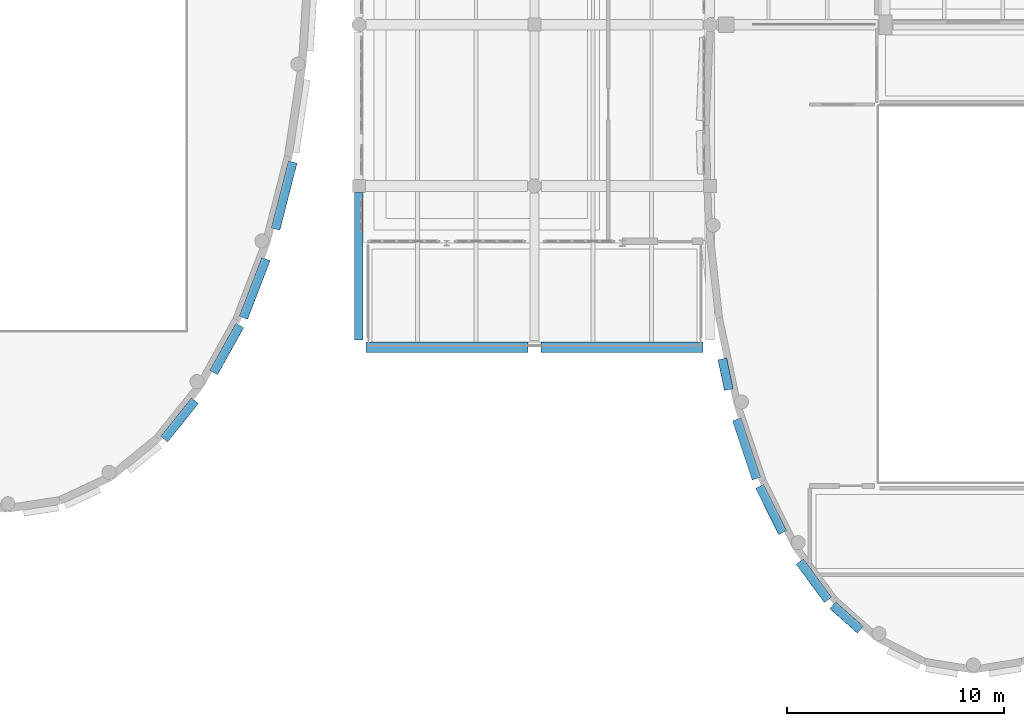
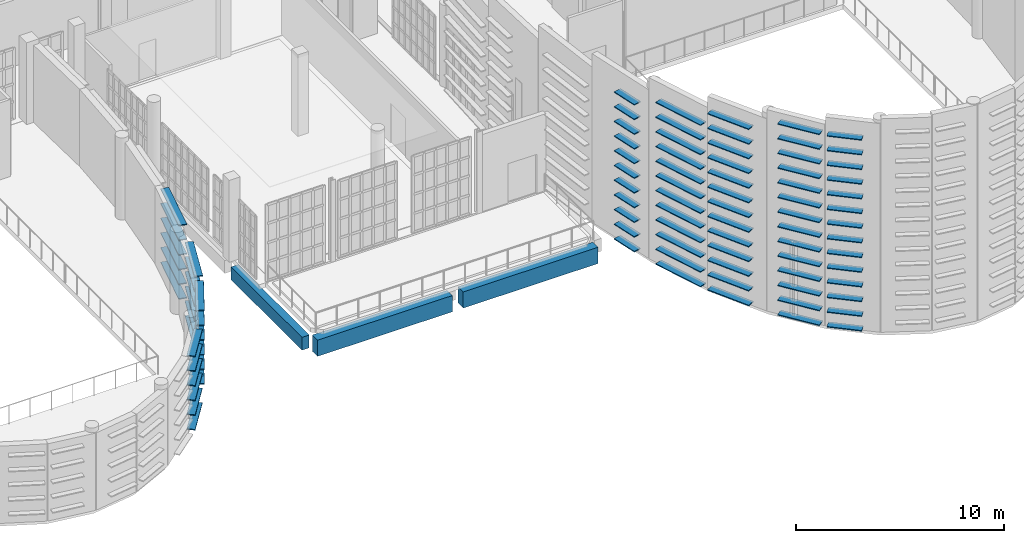
# One storey, part 27 of 104: 88 members, 3 beams.
"""IFC4 building model written with IfcOpenShell, lengths in metres."""

import ifcopenshell
import ifcopenshell.guid

model = None  # the IFC model being written
_history = None  # IfcOwnerHistory: only IFC2X3 demands one
_inside = {}  # id of a spatial element -> (the spatial element, [elements in it])
_under = {}  # id of a project, library or spatial element -> (it, [spatial elements below it])
_declared = {}  # id of a project -> (the project, [libraries it declares])
_typed = {}  # id of a type object -> (the type object, [elements of that type])
_made_of = {}  # id of a material, layer set ... -> (it, [elements and type objects made of it])


def new_model(schema):
    """Start an empty IFC model of exactly this schema.

    Asked for "IFC4X3", IfcOpenShell would pick the latest addendum, in which some entities
    have other attributes; the version numbers below select the first issue.
    IFC2X3 requires an IfcOwnerHistory on every rooted entity: one is made here for all.
    """
    global model, _history
    if schema == "IFC4X3":
        model = ifcopenshell.file(schema_version=(4, 3, 0, 0))
    else:
        model = ifcopenshell.file(schema=schema)
    _inside.clear()
    _under.clear()
    _declared.clear()
    _typed.clear()
    _made_of.clear()
    _history = None
    if model.schema == "IFC2X3":
        org = make("IfcOrganization", Name="unknown")
        user = make(
            "IfcPersonAndOrganization",
            ThePerson=make("IfcPerson", FamilyName="unknown"),
            TheOrganization=org,
        )
        app = make(
            "IfcApplication",
            ApplicationDeveloper=org,
            Version="unknown",
            ApplicationFullName="unknown",
            ApplicationIdentifier="unknown",
        )
        _history = make(
            "IfcOwnerHistory",
            OwningUser=user,
            OwningApplication=app,
            ChangeAction="ADDED",
            CreationDate=0,
        )
    return model


def make(cls, **values):
    """One entity of the class cls with the attributes given. An attribute that is None is left unset."""
    return model.create_entity(
        cls, **{name: value for name, value in values.items() if value is not None}
    )


def rooted(cls, **values):
    """An entity with a GlobalId (a new one), such as an element, a storey or a relation."""
    return make(cls, GlobalId=ifcopenshell.guid.new(), OwnerHistory=_history, **values)


def si_unit(unit_type, name, prefix=None):
    """IfcSIUnit, for example si_unit("LENGTHUNIT", "METRE", prefix="MILLI")."""
    return make("IfcSIUnit", UnitType=unit_type, Prefix=prefix, Name=name)


def assignment(units):
    """IfcUnitAssignment: the units of a project."""
    return None if units is None else make("IfcUnitAssignment", Units=units)


def point(xyz):
    """IfcCartesianPoint."""
    return None if xyz is None else make("IfcCartesianPoint", Coordinates=xyz)


def direction(xyz):
    """IfcDirection."""
    return None if xyz is None else make("IfcDirection", DirectionRatios=xyz)


def frame(location, z_axis=None, x_axis=None):
    """IfcAxis2Placement3D, a coordinate frame: its origin and axes. An axis left out is left unset."""
    return make(
        "IfcAxis2Placement3D",
        Location=point(location),
        Axis=direction(z_axis),
        RefDirection=direction(x_axis),
    )


def frame_2d(location, x_axis=None):
    """IfcAxis2Placement2D, a coordinate frame in the plane: its origin and x axis."""
    return make(
        "IfcAxis2Placement2D", Location=point(location), RefDirection=direction(x_axis)
    )


def origin():
    """The frame at (0, 0, 0) with its axes left unset."""
    return frame((0.0, 0.0, 0.0))


def origin_2d():
    """The frame at (0, 0) in the plane with its x axis left unset."""
    return frame_2d((0.0, 0.0))


def place(relative_to, where):
    """IfcLocalPlacement: puts the frame where relative to a parent placement (None: the world)."""
    return make(
        "IfcLocalPlacement", PlacementRelTo=relative_to, RelativePlacement=where
    )


def context(
    kind, dimensions, precision=None, world=None, true_north=None, identifier=None
):
    """IfcGeometricRepresentationContext, for example the 3D "Model" context."""
    return make(
        "IfcGeometricRepresentationContext",
        ContextIdentifier=identifier,
        ContextType=kind,
        CoordinateSpaceDimension=dimensions,
        Precision=precision,
        WorldCoordinateSystem=world,
        TrueNorth=true_north,
    )


def subcontext(parent, identifier, kind, view, scale=None):
    """IfcGeometricRepresentationSubContext, for example "Body" below "Model"."""
    return make(
        "IfcGeometricRepresentationSubContext",
        ContextIdentifier=identifier,
        ContextType=kind,
        ParentContext=parent,
        TargetScale=scale,
        TargetView=view,
    )


def project(units=None, contexts=None):
    """IfcProject with its units and contexts."""
    return rooted(
        "IfcProject",
        Name="project",
        RepresentationContexts=contexts,
        UnitsInContext=assignment(units),
    )


def spatial(cls, under=None, at=None, **own):
    """A site, building, storey or space (cls), placed at a placement, below another one or the project."""
    s = rooted(cls, ObjectPlacement=at, **own)
    if under is not None:
        _under.setdefault(under.id(), (under, []))[1].append(s)
    return s


def profile(cls, at=None, kind="AREA", **sizes):
    """A parametric profile (cls). Its sizes go by their IFC names, for example OverallWidth=200.0."""
    return make(cls, ProfileType=kind, Position=at, **sizes)


def rectangle(**sizes):
    """IfcRectangleProfileDef."""
    return profile("IfcRectangleProfileDef", **sizes)


def hollow_rectangle(**sizes):
    """IfcRectangleHollowProfileDef."""
    return profile("IfcRectangleHollowProfileDef", **sizes)


def extrude(swept, where, along, depth):
    """IfcExtrudedAreaSolid: the profile swept, set in the frame where, extruded along a direction by depth."""
    return make(
        "IfcExtrudedAreaSolid",
        SweptArea=swept,
        Position=where,
        ExtrudedDirection=direction(along),
        Depth=depth,
    )


def shape(context_of_items, identifier, shape_type, items):
    """IfcShapeRepresentation: the items that make up one representation, for example the "Body"."""
    return make(
        "IfcShapeRepresentation",
        ContextOfItems=context_of_items,
        RepresentationIdentifier=identifier,
        RepresentationType=shape_type,
        Items=items,
    )


def material(Name=None, Category=None):
    """IfcMaterial."""
    return make("IfcMaterial", Name=Name, Category=Category)


def material_profile(
    of_material, cross_section, Name=None, Category=None, Priority=None
):
    """IfcMaterialProfile: a cross section and its material."""
    return make(
        "IfcMaterialProfile",
        Name=Name,
        Material=of_material,
        Profile=cross_section,
        Priority=Priority,
        Category=Category,
    )


def profile_set(profiles, Name=None, composite=None):
    """IfcMaterialProfileSet."""
    return make(
        "IfcMaterialProfileSet",
        Name=Name,
        MaterialProfiles=profiles,
        CompositeProfile=composite,
    )


def made_of(thing, what):
    """Note that an element or type object is made of a material, layer set ...; save() writes the relation."""
    if what is not None:
        _made_of.setdefault(what.id(), (what, []))[1].append(thing)
    return thing


def type_object(cls, material=None, **own):
    """A type object (cls), such as IfcWallType, which elements share."""
    return made_of(rooted(cls, **own), material)


def element(
    cls,
    number,
    at=None,
    inside=None,
    cuts=None,
    type_object=None,
    material=None,
    context=None,
    identifier="Body",
    shape_type=None,
    held_by="IfcProductDefinitionShape",
    body=None,
    shapes=None,
    **own,
):
    """One element of the class cls, such as IfcWall. Its Tag is "e" and its number.

    at: its placement. inside: the storey or other place that contains it. cuts: it is an
    opening in that element (IfcRelVoidsElement). A single representation is given by context,
    identifier, shape_type and body (its items); several are given by shapes. held_by: the class
    of the entity that holds the representations. save() writes the other relations.
    """
    e = rooted(cls, Tag="e%d" % number, ObjectPlacement=at, **own)
    if body is not None:
        shapes = [shape(context, identifier, shape_type, body)]
    if shapes is not None:
        e.Representation = make(held_by, Representations=shapes)
    if inside is not None:
        _inside.setdefault(inside.id(), (inside, []))[1].append(e)
    if cuts is not None:
        rooted(
            "IfcRelVoidsElement", RelatingBuildingElement=cuts, RelatedOpeningElement=e
        )
    if type_object is not None:
        _typed.setdefault(type_object.id(), (type_object, []))[1].append(e)
    return made_of(e, material)


def aggregate(whole, parts):
    """IfcRelAggregates: a whole, such as a stair, and the parts it consists of."""
    return rooted("IfcRelAggregates", RelatingObject=whole, RelatedObjects=parts)


def save(model, path):
    """Write the relations noted so far, then the file.

    IfcRelAggregates (storeys below a building ...), IfcRelContainedInSpatialStructure (elements
    in a storey), IfcRelDefinesByType, IfcRelAssociatesMaterial and IfcRelDeclares: one each for
    every whole, place, type object, material and project.
    """
    for whole, parts in _under.values():
        aggregate(whole, parts)
    for where, things in _inside.values():
        rooted(
            "IfcRelContainedInSpatialStructure",
            RelatedElements=things,
            RelatingStructure=where,
        )
    for kind, things in _typed.values():
        rooted("IfcRelDefinesByType", RelatedObjects=things, RelatingType=kind)
    for what, things in _made_of.values():
        rooted("IfcRelAssociatesMaterial", RelatedObjects=things, RelatingMaterial=what)
    for by, libraries in _declared.values():
        rooted("IfcRelDeclares", RelatingContext=by, RelatedDefinitions=libraries)
    model.write(path)


model = new_model("IFC4")

# Units and contexts
model_context = context("Model", 3, precision=1e-05, world=origin(), true_north=direction((0.0, 1.0)))
body_context = subcontext(model_context, "Body", "Model", "MODEL_VIEW")
ifc_project = project(units=[si_unit("LENGTHUNIT", "METRE"), si_unit("AREAUNIT", "SQUARE_METRE"), si_unit("VOLUMEUNIT", "CUBIC_METRE"), si_unit("PLANEANGLEUNIT", "RADIAN"), si_unit("MASSUNIT", "GRAM", prefix="KILO")], contexts=[model_context])

# Site, building, storey
site_placement = place(None, origin())
site = spatial("IfcSite", under=ifc_project, at=site_placement, CompositionType="ELEMENT")
building_placement = place(site_placement, origin())
building = spatial("IfcBuilding", under=site, at=building_placement, Name="Kaelora Sail Theatre", CompositionType="ELEMENT")
storey_placement = place(building_placement, frame((0.0, 0.0, 5.39990234375)))
storey = spatial("IfcBuildingStorey", under=building, at=storey_placement, Name="L01", CompositionType="ELEMENT", Elevation=5.39990234375)

# Members
ifc_material_1 = material(Name="Anodised aluminium 6063-T6", Category="aluminium")
ifc_material_profile_1 = material_profile(ifc_material_1, hollow_rectangle(XDim=0.419921875, YDim=0.054931640625, WallThickness=0.00390625, InnerFilletRadius=0.00390625, OuterFilletRadius=0.008056640625, at=origin_2d()), Name="LOUVRE 420x55x4")
ifc_profile_set_1 = profile_set([ifc_material_profile_1], Name="Anodised aluminium 6063-T6")
member_type = type_object("IfcMemberType", Name="ARC-MEM-LVR-420", PredefinedType="USERDEFINED", material=ifc_profile_set_1)
for number, where, z_axis, x_axis, name in (
    (1, (103.744140625, 47.24560546875, 0.150146484375), (-0.24769312213, -0.968838540341, 0.0), (0.968838540341, -0.24769312213, 0.0), "Studio Theatre Sail Drum horizontal solar louvre C4-06"),
    (2, (103.744140625, 47.24560546875, 1.010009765625), (-0.24769312213, -0.968838540341, 0.0), (0.968838540341, -0.24769312213, 0.0), "Studio Theatre Sail Drum horizontal solar louvre C4-07"),
    (3, (103.744140625, 47.24560546875, 1.8701171875), (-0.24769312213, -0.968838540341, 0.0), (0.968838540341, -0.24769312213, 0.0), "Studio Theatre Sail Drum horizontal solar louvre C4-08"),
    (4, (103.744140625, 47.24560546875, 2.72998046875), (-0.24769312213, -0.968838540341, 0.0), (0.968838540341, -0.24769312213, 0.0), "Studio Theatre Sail Drum horizontal solar louvre C4-09"),
    (5, (103.744140625, 47.24560546875, 3.590087890625), (-0.24769312213, -0.968838540341, 0.0), (0.968838540341, -0.24769312213, 0.0), "Studio Theatre Sail Drum horizontal solar louvre C4-10"),
    (6, (103.744140625, 47.24560546875, 4.4501953125), (-0.24769312213, -0.968838540341, 0.0), (0.968838540341, -0.24769312213, 0.0), "Studio Theatre Sail Drum horizontal solar louvre C4-11"),
):
    element("IfcMember", number, at=place(storey_placement, frame(where, z_axis=z_axis, x_axis=x_axis)), inside=storey, type_object=member_type, Name=name, ObjectType="LOUVRE", PredefinedType="USERDEFINED", context=body_context, shape_type="SweptSolid", body=[
        extrude(hollow_rectangle(XDim=0.419921875, YDim=0.054931640625, WallThickness=0.00390625, InnerFilletRadius=0.00390625, OuterFilletRadius=0.008056640625, at=origin_2d()), origin(), (0.0, 0.0, 1.0), 3.194580078125),
    ])
for number, where, z_axis, x_axis, name in (
    (7, (102.51123046875, 42.767578125, 0.150146484375), (-0.359300533741, -0.93322190633, 0.0), (0.93322190633, -0.359300533741, 0.0), "Studio Theatre Sail Drum horizontal solar louvre C5-06"),
    (8, (102.51123046875, 42.767578125, 1.010009765625), (-0.359300533741, -0.93322190633, 0.0), (0.93322190633, -0.359300533741, 0.0), "Studio Theatre Sail Drum horizontal solar louvre C5-07"),
    (9, (102.51123046875, 42.767578125, 1.8701171875), (-0.359300533741, -0.93322190633, 0.0), (0.93322190633, -0.359300533741, 0.0), "Studio Theatre Sail Drum horizontal solar louvre C5-08"),
    (10, (102.51123046875, 42.767578125, 2.72998046875), (-0.359300533741, -0.93322190633, 0.0), (0.93322190633, -0.359300533741, 0.0), "Studio Theatre Sail Drum horizontal solar louvre C5-09"),
    (11, (102.51123046875, 42.767578125, 3.590087890625), (-0.359300533741, -0.93322190633, 0.0), (0.93322190633, -0.359300533741, 0.0), "Studio Theatre Sail Drum horizontal solar louvre C5-10"),
    (12, (102.51123046875, 42.767578125, 4.4501953125), (-0.359300533741, -0.93322190633, 0.0), (0.93322190633, -0.359300533741, 0.0), "Studio Theatre Sail Drum horizontal solar louvre C5-11"),
):
    element("IfcMember", number, at=place(storey_placement, frame(where, z_axis=z_axis, x_axis=x_axis)), inside=storey, type_object=member_type, Name=name, ObjectType="LOUVRE", PredefinedType="USERDEFINED", context=body_context, shape_type="SweptSolid", body=[
        extrude(hollow_rectangle(XDim=0.419921875, YDim=0.054931640625, WallThickness=0.00390625, InnerFilletRadius=0.00390625, OuterFilletRadius=0.008056640625, at=origin_2d()), origin(), (0.0, 0.0, 1.0), 2.900634765625),
    ])
for number, where, z_axis, x_axis, name in (
    (13, (101.301025390625, 39.698486328125, 0.150146484375), (-0.485852103854, -0.874041036325, 0.0), (0.874041036325, -0.485852103854, 0.0), "Studio Theatre Sail Drum horizontal solar louvre C6-06"),
    (14, (101.301025390625, 39.698486328125, 1.010009765625), (-0.485852103854, -0.874041036325, 0.0), (0.874041036325, -0.485852103854, 0.0), "Studio Theatre Sail Drum horizontal solar louvre C6-07"),
    (15, (101.301025390625, 39.698486328125, 1.8701171875), (-0.485852103854, -0.874041036325, 0.0), (0.874041036325, -0.485852103854, 0.0), "Studio Theatre Sail Drum horizontal solar louvre C6-08"),
    (16, (101.301025390625, 39.698486328125, 2.72998046875), (-0.485852103854, -0.874041036325, 0.0), (0.874041036325, -0.485852103854, 0.0), "Studio Theatre Sail Drum horizontal solar louvre C6-09"),
    (17, (101.301025390625, 39.698486328125, 3.590087890625), (-0.485852103854, -0.874041036325, 0.0), (0.874041036325, -0.485852103854, 0.0), "Studio Theatre Sail Drum horizontal solar louvre C6-10"),
    (18, (101.301025390625, 39.698486328125, 4.4501953125), (-0.485852103854, -0.874041036325, 0.0), (0.874041036325, -0.485852103854, 0.0), "Studio Theatre Sail Drum horizontal solar louvre C6-11"),
):
    element("IfcMember", number, at=place(storey_placement, frame(where, z_axis=z_axis, x_axis=x_axis)), inside=storey, type_object=member_type, Name=name, ObjectType="LOUVRE", PredefinedType="USERDEFINED", context=body_context, shape_type="SweptSolid", body=[
        extrude(hollow_rectangle(XDim=0.419921875, YDim=0.054931640625, WallThickness=0.00390625, InnerFilletRadius=0.00390625, OuterFilletRadius=0.008056640625, at=origin_2d()), origin(), (0.0, 0.0, 1.0), 2.477294921875),
    ])
for number, where, z_axis, x_axis, name in (
    (19, (99.23388671875, 36.231689453125, 0.150146484375), (-0.626268503228, -0.779607440873, 0.0), (0.779607440873, -0.626268503228, 0.0), "Studio Theatre Sail Drum horizontal solar louvre C7-06"),
    (20, (99.23388671875, 36.231689453125, 1.010009765625), (-0.626268503228, -0.779607440873, 0.0), (0.779607440873, -0.626268503228, 0.0), "Studio Theatre Sail Drum horizontal solar louvre C7-07"),
    (21, (99.23388671875, 36.231689453125, 1.8701171875), (-0.626268503228, -0.779607440873, 0.0), (0.779607440873, -0.626268503228, 0.0), "Studio Theatre Sail Drum horizontal solar louvre C7-08"),
    (22, (99.23388671875, 36.231689453125, 2.72998046875), (-0.626268503228, -0.779607440873, 0.0), (0.779607440873, -0.626268503228, 0.0), "Studio Theatre Sail Drum horizontal solar louvre C7-09"),
    (23, (99.23388671875, 36.231689453125, 3.590087890625), (-0.626268503228, -0.779607440873, 0.0), (0.779607440873, -0.626268503228, 0.0), "Studio Theatre Sail Drum horizontal solar louvre C7-10"),
    (24, (99.23388671875, 36.231689453125, 4.4501953125), (-0.626268503228, -0.779607440873, 0.0), (0.779607440873, -0.626268503228, 0.0), "Studio Theatre Sail Drum horizontal solar louvre C7-11"),
):
    element("IfcMember", number, at=place(storey_placement, frame(where, z_axis=z_axis, x_axis=x_axis)), inside=storey, type_object=member_type, Name=name, ObjectType="LOUVRE", PredefinedType="USERDEFINED", context=body_context, shape_type="SweptSolid", body=[
        extrude(hollow_rectangle(XDim=0.419921875, YDim=0.054931640625, WallThickness=0.00390625, InnerFilletRadius=0.00390625, OuterFilletRadius=0.008056640625, at=origin_2d()), origin(), (0.0, 0.0, 1.0), 2.268798828125),
    ])
for number, where, z_axis, x_axis, name in (
    (25, (129.939208984375, 25.662109375, 0.150146484375), (-0.747346111026, 0.664434940633, 0.0), (-0.664434940633, -0.747346111026, 0.0), "Black-Box and Experimental Sail Wing horizontal solar louvre C13-06"),
    (26, (129.939208984375, 25.662109375, 1.010009765625), (-0.747346111026, 0.664434940633, 0.0), (-0.664434940633, -0.747346111026, 0.0), "Black-Box and Experimental Sail Wing horizontal solar louvre C13-07"),
    (27, (129.939208984375, 25.662109375, 1.8701171875), (-0.747346111026, 0.664434940633, 0.0), (-0.664434940633, -0.747346111026, 0.0), "Black-Box and Experimental Sail Wing horizontal solar louvre C13-08"),
    (28, (129.939208984375, 25.662109375, 2.72998046875), (-0.747346111026, 0.664434940633, 0.0), (-0.664434940633, -0.747346111026, 0.0), "Black-Box and Experimental Sail Wing horizontal solar louvre C13-09"),
    (29, (129.939208984375, 25.662109375, 3.590087890625), (-0.747346111026, 0.664434940633, 0.0), (-0.664434940633, -0.747346111026, 0.0), "Black-Box and Experimental Sail Wing horizontal solar louvre C13-10"),
    (30, (129.939208984375, 25.662109375, 4.4501953125), (-0.747346111026, 0.664434940633, 0.0), (-0.664434940633, -0.747346111026, 0.0), "Black-Box and Experimental Sail Wing horizontal solar louvre C13-11"),
    (31, (129.939208984375, 25.662109375, 5.31005859375), (-0.747346111026, 0.664434940633, 0.0), (-0.664434940633, -0.747346111026, 0.0), "Black-Box and Experimental Sail Wing horizontal solar louvre C13-12"),
    (32, (129.939208984375, 25.662109375, 6.170166015625), (-0.747346111026, 0.664434940633, 0.0), (-0.664434940633, -0.747346111026, 0.0), "Black-Box and Experimental Sail Wing horizontal solar louvre C13-13"),
    (33, (129.939208984375, 25.662109375, 7.030029296875), (-0.747346111026, 0.664434940633, 0.0), (-0.664434940633, -0.747346111026, 0.0), "Black-Box and Experimental Sail Wing horizontal solar louvre C13-14"),
    (34, (129.939208984375, 25.662109375, 7.89013671875), (-0.747346111026, 0.664434940633, 0.0), (-0.664434940633, -0.747346111026, 0.0), "Black-Box and Experimental Sail Wing horizontal solar louvre C13-15"),
    (35, (129.939208984375, 25.662109375, 8.75), (-0.747346111026, 0.664434940633, 0.0), (-0.664434940633, -0.747346111026, 0.0), "Black-Box and Experimental Sail Wing horizontal solar louvre C13-16"),
    (36, (129.939208984375, 25.662109375, 9.610107421875), (-0.747346111026, 0.664434940633, 0.0), (-0.664434940633, -0.747346111026, 0.0), "Black-Box and Experimental Sail Wing horizontal solar louvre C13-17"),
    (37, (129.939208984375, 25.662109375, 10.47021484375), (-0.747346111026, 0.664434940633, 0.0), (-0.664434940633, -0.747346111026, 0.0), "Black-Box and Experimental Sail Wing horizontal solar louvre C13-18"),
    (38, (129.939208984375, 25.662109375, 11.330078125), (-0.747346111026, 0.664434940633, 0.0), (-0.664434940633, -0.747346111026, 0.0), "Black-Box and Experimental Sail Wing horizontal solar louvre C13-19"),
):
    element("IfcMember", number, at=place(storey_placement, frame(where, z_axis=z_axis, x_axis=x_axis)), inside=storey, type_object=member_type, Name=name, ObjectType="LOUVRE", PredefinedType="USERDEFINED", context=body_context, shape_type="SweptSolid", body=[
        extrude(hollow_rectangle(XDim=0.419921875, YDim=0.054931640625, WallThickness=0.00390625, InnerFilletRadius=0.00390625, OuterFilletRadius=0.008056640625, at=origin_2d()), origin(), (0.0, 0.0, 1.0), 1.704833984375),
    ])
for number, where, z_axis, x_axis, name in (
    (39, (128.44091796875, 27.0439453125, 0.150146484375), (-0.590513532852, 0.807027736524, 0.0), (-0.807027736524, -0.590513532852, 0.0), "Black-Box and Experimental Sail Wing horizontal solar louvre C14-06"),
    (40, (128.44091796875, 27.0439453125, 1.010009765625), (-0.590513532852, 0.807027736524, 0.0), (-0.807027736524, -0.590513532852, 0.0), "Black-Box and Experimental Sail Wing horizontal solar louvre C14-07"),
    (41, (128.44091796875, 27.0439453125, 1.8701171875), (-0.590513532852, 0.807027736524, 0.0), (-0.807027736524, -0.590513532852, 0.0), "Black-Box and Experimental Sail Wing horizontal solar louvre C14-08"),
    (42, (128.44091796875, 27.0439453125, 2.72998046875), (-0.590513532852, 0.807027736524, 0.0), (-0.807027736524, -0.590513532852, 0.0), "Black-Box and Experimental Sail Wing horizontal solar louvre C14-09"),
    (43, (128.44091796875, 27.0439453125, 3.590087890625), (-0.590513532852, 0.807027736524, 0.0), (-0.807027736524, -0.590513532852, 0.0), "Black-Box and Experimental Sail Wing horizontal solar louvre C14-10"),
    (44, (128.44091796875, 27.0439453125, 4.4501953125), (-0.590513532852, 0.807027736524, 0.0), (-0.807027736524, -0.590513532852, 0.0), "Black-Box and Experimental Sail Wing horizontal solar louvre C14-11"),
    (45, (128.44091796875, 27.0439453125, 5.31005859375), (-0.590513532852, 0.807027736524, 0.0), (-0.807027736524, -0.590513532852, 0.0), "Black-Box and Experimental Sail Wing horizontal solar louvre C14-12"),
    (46, (128.44091796875, 27.0439453125, 6.170166015625), (-0.590513532852, 0.807027736524, 0.0), (-0.807027736524, -0.590513532852, 0.0), "Black-Box and Experimental Sail Wing horizontal solar louvre C14-13"),
    (47, (128.44091796875, 27.0439453125, 7.030029296875), (-0.590513532852, 0.807027736524, 0.0), (-0.807027736524, -0.590513532852, 0.0), "Black-Box and Experimental Sail Wing horizontal solar louvre C14-14"),
    (48, (128.44091796875, 27.0439453125, 7.89013671875), (-0.590513532852, 0.807027736524, 0.0), (-0.807027736524, -0.590513532852, 0.0), "Black-Box and Experimental Sail Wing horizontal solar louvre C14-15"),
    (49, (128.44091796875, 27.0439453125, 8.75), (-0.590513532852, 0.807027736524, 0.0), (-0.807027736524, -0.590513532852, 0.0), "Black-Box and Experimental Sail Wing horizontal solar louvre C14-16"),
    (50, (128.44091796875, 27.0439453125, 9.610107421875), (-0.590513532852, 0.807027736524, 0.0), (-0.807027736524, -0.590513532852, 0.0), "Black-Box and Experimental Sail Wing horizontal solar louvre C14-17"),
    (51, (128.44091796875, 27.0439453125, 10.47021484375), (-0.590513532852, 0.807027736524, 0.0), (-0.807027736524, -0.590513532852, 0.0), "Black-Box and Experimental Sail Wing horizontal solar louvre C14-18"),
    (52, (128.44091796875, 27.0439453125, 11.330078125), (-0.590513532852, 0.807027736524, 0.0), (-0.807027736524, -0.590513532852, 0.0), "Black-Box and Experimental Sail Wing horizontal solar louvre C14-19"),
):
    element("IfcMember", number, at=place(storey_placement, frame(where, z_axis=z_axis, x_axis=x_axis)), inside=storey, type_object=member_type, Name=name, ObjectType="LOUVRE", PredefinedType="USERDEFINED", context=body_context, shape_type="SweptSolid", body=[
        extrude(hollow_rectangle(XDim=0.419921875, YDim=0.054931640625, WallThickness=0.00390625, InnerFilletRadius=0.00390625, OuterFilletRadius=0.008056640625, at=origin_2d()), origin(), (0.0, 0.0, 1.0), 2.192138671875),
    ])
for number, where, z_axis, x_axis, name in (
    (53, (126.353515625, 30.142822265625, 0.150146484375), (-0.444466855912, 0.895795296927, 0.0), (-0.895795296927, -0.444466855912, 0.0), "Black-Box and Experimental Sail Wing horizontal solar louvre C15-06"),
    (54, (126.353515625, 30.142822265625, 1.010009765625), (-0.444466855912, 0.895795296927, 0.0), (-0.895795296927, -0.444466855912, 0.0), "Black-Box and Experimental Sail Wing horizontal solar louvre C15-07"),
    (55, (126.353515625, 30.142822265625, 1.8701171875), (-0.444466855912, 0.895795296927, 0.0), (-0.895795296927, -0.444466855912, 0.0), "Black-Box and Experimental Sail Wing horizontal solar louvre C15-08"),
    (56, (126.353515625, 30.142822265625, 2.72998046875), (-0.444466855912, 0.895795296927, 0.0), (-0.895795296927, -0.444466855912, 0.0), "Black-Box and Experimental Sail Wing horizontal solar louvre C15-09"),
    (57, (126.353515625, 30.142822265625, 3.590087890625), (-0.444466855912, 0.895795296927, 0.0), (-0.895795296927, -0.444466855912, 0.0), "Black-Box and Experimental Sail Wing horizontal solar louvre C15-10"),
    (58, (126.353515625, 30.142822265625, 4.4501953125), (-0.444466855912, 0.895795296927, 0.0), (-0.895795296927, -0.444466855912, 0.0), "Black-Box and Experimental Sail Wing horizontal solar louvre C15-11"),
    (59, (126.353515625, 30.142822265625, 5.31005859375), (-0.444466855912, 0.895795296927, 0.0), (-0.895795296927, -0.444466855912, 0.0), "Black-Box and Experimental Sail Wing horizontal solar louvre C15-12"),
    (60, (126.353515625, 30.142822265625, 6.170166015625), (-0.444466855912, 0.895795296927, 0.0), (-0.895795296927, -0.444466855912, 0.0), "Black-Box and Experimental Sail Wing horizontal solar louvre C15-13"),
    (61, (126.353515625, 30.142822265625, 7.030029296875), (-0.444466855912, 0.895795296927, 0.0), (-0.895795296927, -0.444466855912, 0.0), "Black-Box and Experimental Sail Wing horizontal solar louvre C15-14"),
    (62, (126.353515625, 30.142822265625, 7.89013671875), (-0.444466855912, 0.895795296927, 0.0), (-0.895795296927, -0.444466855912, 0.0), "Black-Box and Experimental Sail Wing horizontal solar louvre C15-15"),
    (63, (126.353515625, 30.142822265625, 8.75), (-0.444466855912, 0.895795296927, 0.0), (-0.895795296927, -0.444466855912, 0.0), "Black-Box and Experimental Sail Wing horizontal solar louvre C15-16"),
    (64, (126.353515625, 30.142822265625, 9.610107421875), (-0.444466855912, 0.895795296927, 0.0), (-0.895795296927, -0.444466855912, 0.0), "Black-Box and Experimental Sail Wing horizontal solar louvre C15-17"),
    (65, (126.353515625, 30.142822265625, 10.47021484375), (-0.444466855912, 0.895795296927, 0.0), (-0.895795296927, -0.444466855912, 0.0), "Black-Box and Experimental Sail Wing horizontal solar louvre C15-18"),
):
    element("IfcMember", number, at=place(storey_placement, frame(where, z_axis=z_axis, x_axis=x_axis)), inside=storey, type_object=member_type, Name=name, ObjectType="LOUVRE", PredefinedType="USERDEFINED", context=body_context, shape_type="SweptSolid", body=[
        extrude(hollow_rectangle(XDim=0.419921875, YDim=0.054931640625, WallThickness=0.00390625, InnerFilletRadius=0.00390625, OuterFilletRadius=0.008056640625, at=origin_2d()), origin(), (0.0, 0.0, 1.0), 2.384033203125),
    ])
for number, where, z_axis, x_axis, name in (
    (66, (125.146728515625, 32.63818359375, 0.150146484375), (-0.316100406034, 0.94872574188, 0.0), (-0.94872574188, -0.316100406034, 0.0), "Black-Box and Experimental Sail Wing horizontal solar louvre C16-06"),
    (67, (125.146728515625, 32.63818359375, 1.010009765625), (-0.316100406034, 0.94872574188, 0.0), (-0.94872574188, -0.316100406034, 0.0), "Black-Box and Experimental Sail Wing horizontal solar louvre C16-07"),
    (68, (125.146728515625, 32.63818359375, 1.8701171875), (-0.316100406034, 0.94872574188, 0.0), (-0.94872574188, -0.316100406034, 0.0), "Black-Box and Experimental Sail Wing horizontal solar louvre C16-08"),
    (69, (125.146728515625, 32.63818359375, 2.72998046875), (-0.316100406034, 0.94872574188, 0.0), (-0.94872574188, -0.316100406034, 0.0), "Black-Box and Experimental Sail Wing horizontal solar louvre C16-09"),
    (70, (125.146728515625, 32.63818359375, 3.590087890625), (-0.316100406034, 0.94872574188, 0.0), (-0.94872574188, -0.316100406034, 0.0), "Black-Box and Experimental Sail Wing horizontal solar louvre C16-10"),
    (71, (125.146728515625, 32.63818359375, 4.4501953125), (-0.316100406034, 0.94872574188, 0.0), (-0.94872574188, -0.316100406034, 0.0), "Black-Box and Experimental Sail Wing horizontal solar louvre C16-11"),
    (72, (125.146728515625, 32.63818359375, 5.31005859375), (-0.316100406034, 0.94872574188, 0.0), (-0.94872574188, -0.316100406034, 0.0), "Black-Box and Experimental Sail Wing horizontal solar louvre C16-12"),
    (73, (125.146728515625, 32.63818359375, 6.170166015625), (-0.316100406034, 0.94872574188, 0.0), (-0.94872574188, -0.316100406034, 0.0), "Black-Box and Experimental Sail Wing horizontal solar louvre C16-13"),
    (74, (125.146728515625, 32.63818359375, 7.030029296875), (-0.316100406034, 0.94872574188, 0.0), (-0.94872574188, -0.316100406034, 0.0), "Black-Box and Experimental Sail Wing horizontal solar louvre C16-14"),
    (75, (125.146728515625, 32.63818359375, 7.89013671875), (-0.316100406034, 0.94872574188, 0.0), (-0.94872574188, -0.316100406034, 0.0), "Black-Box and Experimental Sail Wing horizontal solar louvre C16-15"),
    (76, (125.146728515625, 32.63818359375, 8.75), (-0.316100406034, 0.94872574188, 0.0), (-0.94872574188, -0.316100406034, 0.0), "Black-Box and Experimental Sail Wing horizontal solar louvre C16-16"),
    (77, (125.146728515625, 32.63818359375, 9.610107421875), (-0.316100406034, 0.94872574188, 0.0), (-0.94872574188, -0.316100406034, 0.0), "Black-Box and Experimental Sail Wing horizontal solar louvre C16-17"),
):
    element("IfcMember", number, at=place(storey_placement, frame(where, z_axis=z_axis, x_axis=x_axis)), inside=storey, type_object=member_type, Name=name, ObjectType="LOUVRE", PredefinedType="USERDEFINED", context=body_context, shape_type="SweptSolid", body=[
        extrude(hollow_rectangle(XDim=0.419921875, YDim=0.054931640625, WallThickness=0.00390625, InnerFilletRadius=0.00390625, OuterFilletRadius=0.008056640625, at=origin_2d()), origin(), (0.0, 0.0, 1.0), 2.87548828125),
    ])
for number, where, z_axis, x_axis, name in (
    (78, (123.8671875, 36.744384765625, 0.150146484375), (-0.205483302398, 0.978660621684, 0.0), (-0.978660621684, -0.205483302398, 0.0), "Black-Box and Experimental Sail Wing horizontal solar louvre C17-06"),
    (79, (123.8671875, 36.744384765625, 1.010009765625), (-0.205483302398, 0.978660621684, 0.0), (-0.978660621684, -0.205483302398, 0.0), "Black-Box and Experimental Sail Wing horizontal solar louvre C17-07"),
    (80, (123.8671875, 36.744384765625, 1.8701171875), (-0.205483302398, 0.978660621684, 0.0), (-0.978660621684, -0.205483302398, 0.0), "Black-Box and Experimental Sail Wing horizontal solar louvre C17-08"),
    (81, (123.8671875, 36.744384765625, 2.72998046875), (-0.205483302398, 0.978660621684, 0.0), (-0.978660621684, -0.205483302398, 0.0), "Black-Box and Experimental Sail Wing horizontal solar louvre C17-09"),
    (82, (123.8671875, 36.744384765625, 3.590087890625), (-0.205483302398, 0.978660621684, 0.0), (-0.978660621684, -0.205483302398, 0.0), "Black-Box and Experimental Sail Wing horizontal solar louvre C17-10"),
    (83, (123.8671875, 36.744384765625, 4.4501953125), (-0.205483302398, 0.978660621684, 0.0), (-0.978660621684, -0.205483302398, 0.0), "Black-Box and Experimental Sail Wing horizontal solar louvre C17-11"),
    (84, (123.8671875, 36.744384765625, 5.31005859375), (-0.205483302398, 0.978660621684, 0.0), (-0.978660621684, -0.205483302398, 0.0), "Black-Box and Experimental Sail Wing horizontal solar louvre C17-12"),
    (85, (123.8671875, 36.744384765625, 6.170166015625), (-0.205483302398, 0.978660621684, 0.0), (-0.978660621684, -0.205483302398, 0.0), "Black-Box and Experimental Sail Wing horizontal solar louvre C17-13"),
    (86, (123.8671875, 36.744384765625, 7.030029296875), (-0.205483302398, 0.978660621684, 0.0), (-0.978660621684, -0.205483302398, 0.0), "Black-Box and Experimental Sail Wing horizontal solar louvre C17-14"),
    (87, (123.8671875, 36.744384765625, 7.89013671875), (-0.205483302398, 0.978660621684, 0.0), (-0.978660621684, -0.205483302398, 0.0), "Black-Box and Experimental Sail Wing horizontal solar louvre C17-15"),
    (88, (123.8671875, 36.744384765625, 8.75), (-0.205483302398, 0.978660621684, 0.0), (-0.978660621684, -0.205483302398, 0.0), "Black-Box and Experimental Sail Wing horizontal solar louvre C17-16"),
):
    element("IfcMember", number, at=place(storey_placement, frame(where, z_axis=z_axis, x_axis=x_axis)), inside=storey, type_object=member_type, Name=name, ObjectType="LOUVRE", PredefinedType="USERDEFINED", context=body_context, shape_type="SweptSolid", body=[
        extrude(hollow_rectangle(XDim=0.419921875, YDim=0.054931640625, WallThickness=0.00390625, InnerFilletRadius=0.00390625, OuterFilletRadius=0.008056640625, at=origin_2d()), origin(), (0.0, 0.0, 1.0), 1.447021484375),
    ])

# Beams
ifc_material_2 = material(Name="Concrete C40/50", Category="concrete")
ifc_material_profile_2 = material_profile(ifc_material_2, rectangle(XDim=0.39990234375, YDim=0.75, at=origin_2d()), Name="RC-BM 400x750")
ifc_profile_set_2 = profile_set([ifc_material_profile_2], Name="Concrete C40/50")
beam_type_1 = type_object("IfcBeamType", Name="STR-BM-BM-RC4075", PredefinedType="BEAM", material=ifc_profile_set_2)
beam_placement = place(storey_placement, frame((106.800048828125, 39.02490234375, -0.669921875), z_axis=(0.0, 1.0, 0.0), x_axis=(-1.0, 0.0, 0.0)))
element("IfcBeam", 89, at=beam_placement, inside=storey, type_object=beam_type_1, Name="Primary beam 14 F-G (L01)", PredefinedType="BEAM", context=body_context, shape_type="SweptSolid", body=[
    extrude(rectangle(XDim=0.39990234375, YDim=0.75, at=origin_2d()), origin(), (0.0, 0.0, 1.0), 6.815185546875),
])
ifc_material_3 = material(Name="Concrete C45/55", Category="concrete")
ifc_material_profile_3 = material_profile(ifc_material_3, rectangle(XDim=0.5, YDim=0.949951171875, at=origin_2d()), Name="RC-GRD 500x950")
ifc_profile_set_3 = profile_set([ifc_material_profile_3], Name="Concrete C45/55")
beam_type_2 = type_object("IfcBeamType", Name="STR-BM-GR-RC5095", PredefinedType="T_BEAM", material=ifc_profile_set_3)
for number, where, z_axis, x_axis, name in (
    (90, (107.125, 38.699951171875, -0.77001953125), (1.0, 0.0, 0.0), (0.0, 1.0, 0.0), "Primary beam F 14-15 (L01)"),
    (91, (115.199951171875, 38.699951171875, -0.77001953125), (1.0, 0.0, 0.0), (0.0, 1.0, 0.0), "Primary beam F 15-16 (L01)"),
):
    element("IfcBeam", number, at=place(storey_placement, frame(where, z_axis=z_axis, x_axis=x_axis)), inside=storey, type_object=beam_type_2, Name=name, PredefinedType="T_BEAM", context=body_context, shape_type="SweptSolid", body=[
        extrude(rectangle(XDim=0.5, YDim=0.949951171875, at=origin_2d()), origin(), (0.0, 0.0, 1.0), 7.47509765625),
    ])

save(model, "model.ifc")
